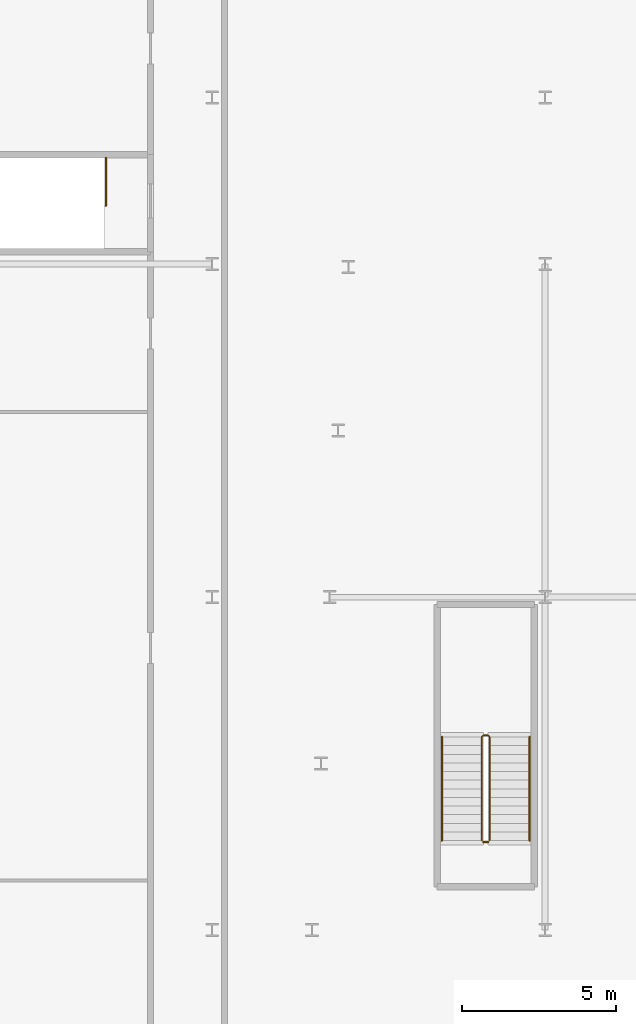
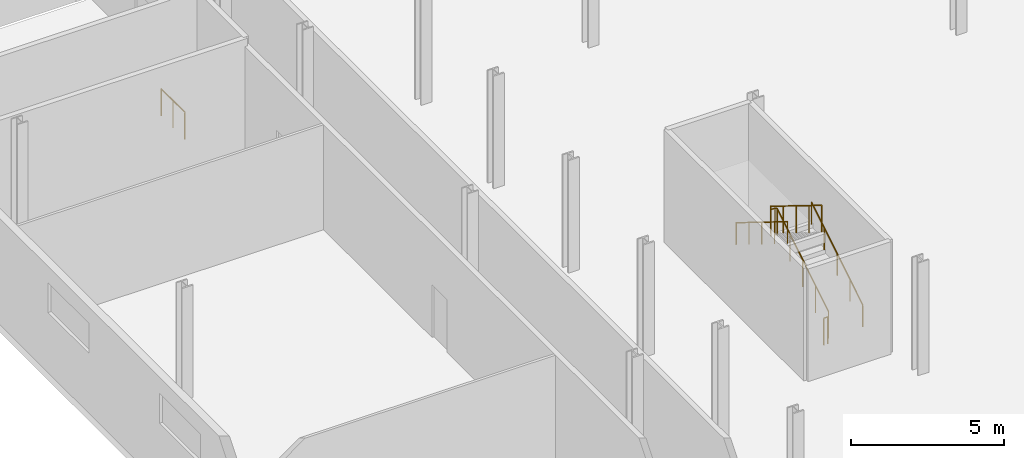
# One storey, part 42 of 43: 5 railings.
"""IFC4 building model written with IfcOpenShell, lengths in metres."""

from ifc_helpers import new_model, si_unit, direction, frame, origin, origin_2d, place, context, subcontext, project, spatial, circle, extrude, material, type_object, element, save


model = new_model("IFC4")

# Units and contexts
model_context = context("Model", 3, precision=1e-05, world=origin(), true_north=direction((0.0, 1.0)))
body_context = subcontext(model_context, "Body", "Model", "MODEL_VIEW")
ifc_project = project(units=[si_unit("LENGTHUNIT", "METRE"), si_unit("AREAUNIT", "SQUARE_METRE"), si_unit("VOLUMEUNIT", "CUBIC_METRE"), si_unit("PLANEANGLEUNIT", "RADIAN"), si_unit("MASSUNIT", "GRAM", prefix="KILO")], contexts=[model_context])

# Site, building, storey
site_placement = place(None, origin())
site = spatial("IfcSite", under=ifc_project, at=site_placement, CompositionType="ELEMENT")
building_placement = place(site_placement, origin())
building = spatial("IfcBuilding", under=site, at=building_placement, Name="Kheshtan School and Residences Tower", CompositionType="ELEMENT")
storey_placement = place(building_placement, frame((0.0, 0.0, 26.0)))
storey = spatial("IfcBuildingStorey", under=building, at=storey_placement, Name="L05", CompositionType="ELEMENT", Elevation=26.0)

# Railings
ifc_material_1 = material(Name="Stainless steel balustrade", Category="steel")
railing_type_1 = type_object("IfcRailingType", Name="Stair guard 1100", PredefinedType="GUARDRAIL", material=ifc_material_1)
railing_1_placement = place(storey_placement, frame((35.0, 80.89990234375, 0.173095703125)))
element("IfcRailing", 1, at=railing_1_placement, inside=storey, type_object=railing_type_1, Name="L05 ST3 stair guard 1", PredefinedType="GUARDRAIL", context=body_context, shape_type="SweptSolid", body=[
    extrude(circle(Radius=0.02392578125, at=origin_2d()), frame((0.0, 0.0, 1.076171875), z_axis=(0.0, 0.850623216509, 0.525775754039), x_axis=(-1.0, 0.0, 0.0)), (0.0, 0.0, 1.0), 3.9501953125),
    extrude(circle(Radius=0.02392578125, at=origin_2d()), frame((0.0, 3.360107421875, 3.15283203125), z_axis=(-0.707106781187, 0.707106781187, 0.0), x_axis=(-0.707106781187, -0.707106781187, 0.0)), (0.0, 0.0, 1.0), 0.07080078125),
    extrude(circle(Radius=0.02392578125, at=origin_2d()), frame((-0.050048828125, 3.41015625, 3.15283203125), z_axis=(-1.0, 0.0, 0.0), x_axis=(0.0, -1.0, 0.0)), (0.0, 0.0, 1.0), 0.14990234375),
    extrude(circle(Radius=0.02392578125, at=origin_2d()), frame((-0.199951171875, 3.41015625, 3.15283203125), z_axis=(-0.267629722418, -0.267629722418, 0.925607186314), x_axis=(0.707106781187, -0.707106781187, 0.0)), (0.0, 0.0, 1.0), 0.18701171875),
    extrude(circle(Radius=0.02392578125, at=origin_2d()), frame((-0.25, 3.360107421875, 3.326171875), z_axis=(0.0, -0.850623216509, 0.525775754039), x_axis=(1.0, 0.0, 0.0)), (0.0, 0.0, 1.0), 3.9501953125),
    extrude(circle(Radius=0.02099609375, at=origin_2d()), origin(), (0.0, 0.0, 1.0), 1.052001953125),
    extrude(circle(Radius=0.02099609375, at=origin_2d()), frame((0.0, 0.840087890625, 0.519287109375)), (0.0, 0.0, 1.0), 1.052001953125),
    extrude(circle(Radius=0.02099609375, at=origin_2d()), frame((0.0, 1.68017578125, 1.03857421875)), (0.0, 0.0, 1.0), 1.052001953125),
    extrude(circle(Radius=0.02099609375, at=origin_2d()), frame((0.0, 2.52001953125, 1.5576171875)), (0.0, 0.0, 1.0), 1.052001953125),
    extrude(circle(Radius=0.02099609375, at=origin_2d()), frame((0.0, 3.360107421875, 2.076904296875)), (0.0, 0.0, 1.0), 1.052001953125),
    extrude(circle(Radius=0.02099609375, at=origin_2d()), frame((-0.050048828125, 3.41015625, 2.076904296875)), (0.0, 0.0, 1.0), 1.052001953125),
    extrude(circle(Radius=0.02099609375, at=origin_2d()), frame((-0.199951171875, 3.41015625, 2.076904296875)), (0.0, 0.0, 1.0), 1.052001953125),
    extrude(circle(Radius=0.02099609375, at=origin_2d()), frame((-0.25, 3.360107421875, 2.25)), (0.0, 0.0, 1.0), 1.052001953125),
    extrude(circle(Radius=0.02099609375, at=origin_2d()), frame((-0.25, 2.52001953125, 2.769287109375)), (0.0, 0.0, 1.0), 1.052001953125),
    extrude(circle(Radius=0.02099609375, at=origin_2d()), frame((-0.25, 1.68017578125, 3.28857421875)), (0.0, 0.0, 1.0), 1.052001953125),
    extrude(circle(Radius=0.02099609375, at=origin_2d()), frame((-0.25, 0.840087890625, 3.8076171875)), (0.0, 0.0, 1.0), 1.052001953125),
    extrude(circle(Radius=0.02099609375, at=origin_2d()), frame((-0.25, 0.0, 4.326904296875)), (0.0, 0.0, 1.0), 1.052001953125),
])
railing_2_placement = place(storey_placement, frame((34.949951171875, 80.85009765625, 0.0)))
element("IfcRailing", 2, at=railing_2_placement, inside=storey, type_object=railing_type_1, Name="L05 ST3 stair guard 2", PredefinedType="GUARDRAIL", context=body_context, shape_type="SweptSolid", body=[
    extrude(circle(Radius=0.02392578125, at=origin_2d()), frame((0.0, 0.0, 1.076171875), z_axis=(-1.0, 0.0, 0.0), x_axis=(0.0, -1.0, 0.0)), (0.0, 0.0, 1.0), 0.14990234375),
    extrude(circle(Radius=0.02099609375, at=origin_2d()), origin(), (0.0, 0.0, 1.0), 1.052001953125),
    extrude(circle(Radius=0.02099609375, at=origin_2d()), frame((-0.14990234375, 0.0, 0.0)), (0.0, 0.0, 1.0), 1.052001953125),
])
railing_3_placement = place(storey_placement, frame((22.550048828125, 103.050048828125, 0.0)))
element("IfcRailing", 3, at=railing_3_placement, inside=storey, type_object=railing_type_1, Name="L05 PS-012-100 top well guard 1", PredefinedType="GUARDRAIL", context=body_context, shape_type="SweptSolid", body=[
    extrude(circle(Radius=0.02392578125, at=origin_2d()), frame((0.0, 0.0, 1.076171875), z_axis=(0.0, -1.0, 0.0), x_axis=(1.0, 0.0, 0.0)), (0.0, 0.0, 1.0), 1.550048828125),
    extrude(circle(Radius=0.02099609375, at=origin_2d()), origin(), (0.0, 0.0, 1.0), 1.052001953125),
    extrude(circle(Radius=0.02099609375, at=origin_2d()), frame((0.0, -0.77490234375, 0.0)), (0.0, 0.0, 1.0), 1.052001953125),
    extrude(circle(Radius=0.02099609375, at=origin_2d()), frame((0.0, -1.550048828125, 0.0)), (0.0, 0.0, 1.0), 1.052001953125),
])
ifc_material_2 = material(Name="Stainless steel handrail", Category="steel")
railing_type_2 = type_object("IfcRailingType", Name="Stair handrail 900", PredefinedType="HANDRAIL", material=ifc_material_2)
railing_4_placement = place(storey_placement, frame((36.300048828125, 80.89990234375, 0.173095703125)))
element("IfcRailing", 4, at=railing_4_placement, inside=storey, type_object=railing_type_2, Name="L05 ST3 stair handrail 1", PredefinedType="HANDRAIL", context=body_context, shape_type="SweptSolid", body=[
    extrude(circle(Radius=0.02392578125, at=origin_2d()), frame((0.0, 0.0, 0.8759765625), z_axis=(0.0, 0.850623216509, 0.525775754039), x_axis=(-1.0, 0.0, 0.0)), (0.0, 0.0, 1.0), 3.9501953125),
    extrude(circle(Radius=0.02099609375, at=origin_2d()), origin(), (0.0, 0.0, 1.0), 0.851806640625),
    extrude(circle(Radius=0.02099609375, at=origin_2d()), frame((0.0, 0.840087890625, 0.519287109375)), (0.0, 0.0, 1.0), 0.851806640625),
    extrude(circle(Radius=0.02099609375, at=origin_2d()), frame((0.0, 1.68017578125, 1.03857421875)), (0.0, 0.0, 1.0), 0.851806640625),
    extrude(circle(Radius=0.02099609375, at=origin_2d()), frame((0.0, 2.52001953125, 1.5576171875)), (0.0, 0.0, 1.0), 0.851806640625),
    extrude(circle(Radius=0.02099609375, at=origin_2d()), frame((0.0, 3.360107421875, 2.076904296875)), (0.0, 0.0, 1.0), 0.851806640625),
])
railing_5_placement = place(storey_placement, frame((33.449951171875, 84.260009765625, 2.423095703125)))
element("IfcRailing", 5, at=railing_5_placement, inside=storey, type_object=railing_type_2, Name="L05 ST3 stair handrail 2", PredefinedType="HANDRAIL", context=body_context, shape_type="SweptSolid", body=[
    extrude(circle(Radius=0.02392578125, at=origin_2d()), frame((0.0, 0.0, 0.8759765625), z_axis=(0.0, -0.850623216509, 0.525775754039), x_axis=(1.0, 0.0, 0.0)), (0.0, 0.0, 1.0), 3.9501953125),
    extrude(circle(Radius=0.02099609375, at=origin_2d()), origin(), (0.0, 0.0, 1.0), 0.851806640625),
    extrude(circle(Radius=0.02099609375, at=origin_2d()), frame((0.0, -0.840087890625, 0.519287109375)), (0.0, 0.0, 1.0), 0.851806640625),
    extrude(circle(Radius=0.02099609375, at=origin_2d()), frame((0.0, -1.68017578125, 1.03857421875)), (0.0, 0.0, 1.0), 0.851806640625),
    extrude(circle(Radius=0.02099609375, at=origin_2d()), frame((0.0, -2.52001953125, 1.5576171875)), (0.0, 0.0, 1.0), 0.851806640625),
    extrude(circle(Radius=0.02099609375, at=origin_2d()), frame((0.0, -3.360107421875, 2.076904296875)), (0.0, 0.0, 1.0), 0.851806640625),
])

save(model, "model.ifc")
